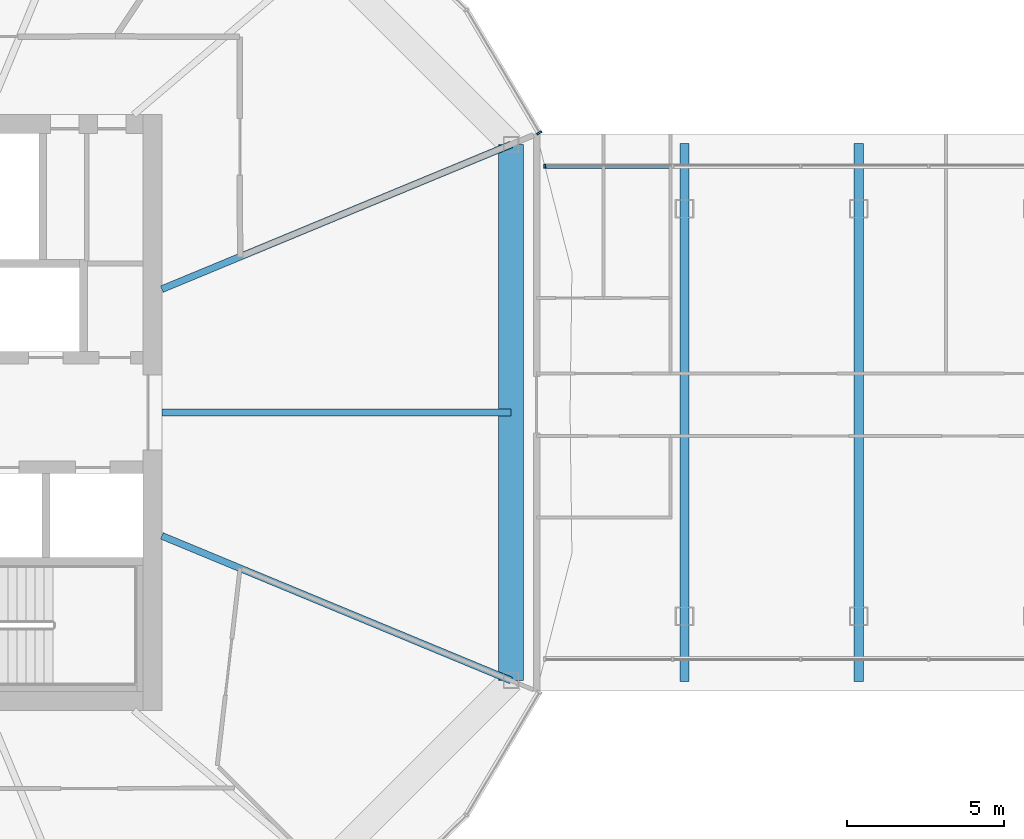
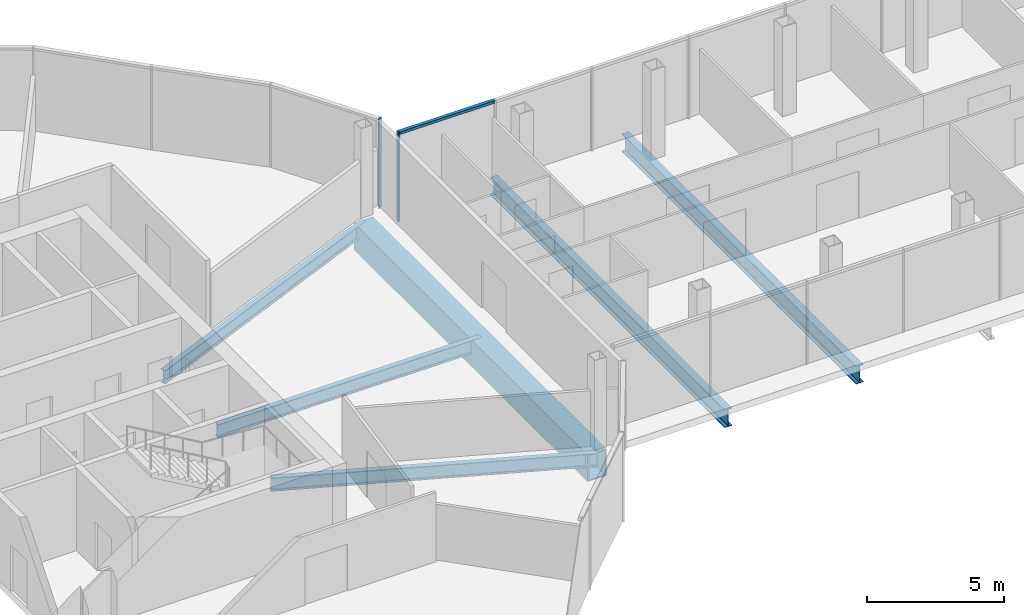
# One storey, part 8 of 26: 6 beams, 3 members, 2 elements without a shape of their own.
"""IFC4 building model written with IfcOpenShell, lengths in metres."""

from ifc_helpers import new_model, si_unit, direction, frame, origin, origin_2d, place, context, subcontext, project, spatial, rectangle, hollow_rectangle, i_section, extrude, material, material_profile, profile_set, type_object, element, aggregate, save


model = new_model("IFC4")

# Units and contexts
model_context = context("Model", 3, precision=1e-05, world=origin(), true_north=direction((0.0, 1.0)))
body_context = subcontext(model_context, "Body", "Model", "MODEL_VIEW")
ifc_project = project(units=[si_unit("LENGTHUNIT", "METRE"), si_unit("AREAUNIT", "SQUARE_METRE"), si_unit("VOLUMEUNIT", "CUBIC_METRE"), si_unit("PLANEANGLEUNIT", "RADIAN"), si_unit("MASSUNIT", "GRAM", prefix="KILO")], contexts=[model_context])

# Site, building, storey
site_placement = place(None, origin())
site = spatial("IfcSite", under=ifc_project, at=site_placement, CompositionType="ELEMENT")
building_placement = place(site_placement, origin())
building = spatial("IfcBuilding", under=site, at=building_placement, Name="Ogive Gate Towers", CompositionType="ELEMENT")
storey_placement = place(building_placement, frame((0.0, 0.0, 148.800048828125)))
storey = spatial("IfcBuildingStorey", under=building, at=storey_placement, Name="L35", CompositionType="ELEMENT", Elevation=148.800048828125)

# Beams
ifc_material_1 = material(Name="Steel SM460", Category="steel")
ifc_material_profile_1 = material_profile(ifc_material_1, i_section(OverallWidth=0.300048828125, OverallDepth=0.7900390625, WebThickness=0.014892578125, FlangeThickness=0.028076171875, FilletRadius=0.030029296875, at=origin_2d()), Name="HE 800 A")
ifc_profile_set_1 = profile_set([ifc_material_profile_1], Name="Steel SM460")
beam_type_1 = type_object("IfcBeamType", Name="Block floor beam HE 800 A", PredefinedType="BEAM", material=ifc_profile_set_1)
for number, where, z_axis, x_axis, name in (
    (1, (-9.83056640625, -8.5859375, -0.695068359375), (0.0, 1.0, 0.0), (-1.0, 0.0, 0.0), "BR/L35/SBM001"),
    (2, (-4.27392578125, -8.5859375, -0.695068359375), (0.0, 1.0, 0.0), (-1.0, 0.0, 0.0), "BR/L35/SBM002"),
):
    element("IfcBeam", number, at=place(storey_placement, frame(where, z_axis=z_axis, x_axis=x_axis)), inside=storey, type_object=beam_type_1, Name=name, PredefinedType="BEAM", context=body_context, shape_type="SweptSolid", body=[
        extrude(i_section(OverallWidth=0.300048828125, OverallDepth=0.7900390625, WebThickness=0.014892578125, FlangeThickness=0.028076171875, FilletRadius=0.030029296875, at=origin_2d()), origin(), (0.0, 0.0, 1.0), 17.171875),
    ])
ifc_material_profile_2 = material_profile(ifc_material_1, hollow_rectangle(XDim=0.800048828125, YDim=1.199951171875, WallThickness=0.050048828125, at=origin_2d()), Name="BX 1200x800x50")
ifc_profile_set_2 = profile_set([ifc_material_profile_2], Name="Steel SM460")
beam_type_2 = type_object("IfcBeamType", Name="Edge girder BX 1200x800x50", PredefinedType="BEAM", material=ifc_profile_set_2)
beam_1_placement = place(storey_placement, frame((-15.360595703125, -8.549072265625, -0.900146484375), z_axis=(0.0, 1.0, 0.0), x_axis=(-1.0, 0.0, 0.0)))
element("IfcBeam", 3, at=beam_1_placement, inside=storey, type_object=beam_type_2, Name="T1/L35/SBM020", PredefinedType="BEAM", context=body_context, shape_type="SweptSolid", body=[
    extrude(hollow_rectangle(XDim=0.800048828125, YDim=1.199951171875, WallThickness=0.050048828125, at=origin_2d()), origin(), (0.0, 0.0, 1.0), 17.09814453125),
])

# Curtain wall, members
ifc_material_2 = material(Name="Pale metal aluminium", Category="aluminium")
curtain_wall_type_1 = type_object("IfcCurtainWallType", Name="Gate block facade", PredefinedType="NOTDEFINED", material=ifc_material_2)
curtain_wall_1_placement = place(storey_placement, origin())
curtain_wall_1 = element("IfcCurtainWall", 4, at=curtain_wall_1_placement, inside=storey, type_object=curtain_wall_type_1, Name="CW3 BR ECW02", PredefinedType="NOTDEFINED")
ifc_material_profile_3 = material_profile(ifc_material_2, rectangle(XDim=0.139892578125, YDim=0.06005859375, at=origin_2d()), Name="60 x 140 aluminium box")
ifc_profile_set_3 = profile_set([ifc_material_profile_3], Name="Pale metal aluminium")
member_type_1 = type_object("IfcMemberType", Name="Gate block facade mullion 60 x 140", PredefinedType="MULLION", material=ifc_profile_set_3)
member_1_placement = place(storey_placement, frame((-14.29150390625, 7.85595703125, -0.300048828125), z_axis=(0.0, 0.0, 1.0), x_axis=(0.0, 1.0, 0.0)))
member_1 = element("IfcMember", 5, at=member_1_placement, type_object=member_type_1, Name="CW3 mullion", PredefinedType="MULLION", context=body_context, shape_type="SweptSolid", body=[
    extrude(rectangle(XDim=0.139892578125, YDim=0.06005859375, at=origin_2d()), origin(), (0.0, 0.0, 1.0), 4.0),
])
ifc_material_profile_4 = material_profile(ifc_material_2, rectangle(XDim=0.139892578125, YDim=0.1201171875, at=origin_2d()), Name="120 x 140 aluminium box")
ifc_profile_set_4 = profile_set([ifc_material_profile_4], Name="Pale metal aluminium")
member_type_2 = type_object("IfcMemberType", Name="Gate block facade transom 120 x 140", PredefinedType="USERDEFINED", material=ifc_profile_set_4)
member_2_placement = place(storey_placement, frame((-10.23828125, 7.85595703125, 3.639892578125), z_axis=(-1.0, 0.0, 0.0), x_axis=(0.0, -1.0, 0.0)))
member_2 = element("IfcMember", 6, at=member_2_placement, type_object=member_type_2, Name="CW3 transom", ObjectType="TRANSOM", PredefinedType="USERDEFINED", context=body_context, shape_type="SweptSolid", body=[
    extrude(rectangle(XDim=0.139892578125, YDim=0.1201171875, at=origin_2d()), origin(), (0.0, 0.0, 1.0), 4.023193359375),
])
aggregate(curtain_wall_1, [member_1, member_2])

# Beams
ifc_material_3 = material(Name="Steel SM355", Category="steel")
ifc_material_profile_5 = material_profile(ifc_material_3, i_section(OverallWidth=0.219970703125, OverallDepth=0.60009765625, WebThickness=0.011962890625, FlangeThickness=0.01904296875, FilletRadius=0.02392578125, at=origin_2d()), Name="IPE 600")
ifc_profile_set_5 = profile_set([ifc_material_profile_5], Name="Steel SM355")
beam_type_3 = type_object("IfcBeamType", Name="Radial floor beam IPE 600", PredefinedType="BEAM", material=ifc_profile_set_5)
beam_2_placement = place(storey_placement, frame((-26.5, -3.93505859375, -0.60009765625), z_axis=(0.923881839184, -0.382677863518, 0.0), x_axis=(0.382677863518, 0.923881839184, 0.0)))
element("IfcBeam", 7, at=beam_2_placement, inside=storey, type_object=beam_type_3, Name="T1/L35/SBM007", PredefinedType="BEAM", context=body_context, shape_type="SweptSolid", body=[
    extrude(i_section(OverallWidth=0.219970703125, OverallDepth=0.60009765625, WebThickness=0.011962890625, FlangeThickness=0.01904296875, FilletRadius=0.02392578125, at=origin_2d()), origin(), (0.0, 0.0, 1.0), 12.05712890625),
])
beam_3_placement = place(storey_placement, frame((-26.5, 0.0, -0.60009765625), z_axis=(1.0, 0.0, 0.0), x_axis=(0.0, 1.0, 0.0)))
element("IfcBeam", 8, at=beam_3_placement, inside=storey, type_object=beam_type_3, Name="T1/L35/SBM008", PredefinedType="BEAM", context=body_context, shape_type="SweptSolid", body=[
    extrude(i_section(OverallWidth=0.219970703125, OverallDepth=0.60009765625, WebThickness=0.011962890625, FlangeThickness=0.01904296875, FilletRadius=0.02392578125, at=origin_2d()), origin(), (0.0, 0.0, 1.0), 11.139404296875),
])
beam_4_placement = place(storey_placement, frame((-26.5, 3.93505859375, -0.60009765625), z_axis=(0.923881839184, 0.382677863518, 0.0), x_axis=(-0.382677863518, 0.923881839184, 0.0)))
element("IfcBeam", 9, at=beam_4_placement, inside=storey, type_object=beam_type_3, Name="T1/L35/SBM009", PredefinedType="BEAM", context=body_context, shape_type="SweptSolid", body=[
    extrude(i_section(OverallWidth=0.219970703125, OverallDepth=0.60009765625, WebThickness=0.011962890625, FlangeThickness=0.01904296875, FilletRadius=0.02392578125, at=origin_2d()), origin(), (0.0, 0.0, 1.0), 12.05712890625),
])

# Curtain wall, member
curtain_wall_type_2 = type_object("IfcCurtainWallType", Name="Tower unitised wall, high zone", PredefinedType="NOTDEFINED", material=ifc_material_2)
curtain_wall_2_placement = place(storey_placement, origin())
curtain_wall_2 = element("IfcCurtainWall", 10, at=curtain_wall_2_placement, inside=storey, type_object=curtain_wall_type_2, Name="CW2 T1 ECW01", PredefinedType="NOTDEFINED")
ifc_material_profile_6 = material_profile(ifc_material_2, rectangle(XDim=0.179931640625, YDim=0.06005859375, at=origin_2d()), Name="60 x 180 aluminium box")
ifc_profile_set_6 = profile_set([ifc_material_profile_6], Name="Pale metal aluminium")
member_type_3 = type_object("IfcMemberType", Name="Tower unitised wall, high zone mullion 60 x 180", PredefinedType="MULLION", material=ifc_profile_set_6)
member_3_placement = place(storey_placement, frame((-14.462890625, 8.91943359375, -0.300048828125), z_axis=(0.0, 0.0, 1.0), x_axis=(0.860386439326, 0.509642202947, 0.0)))
member_3 = element("IfcMember", 11, at=member_3_placement, type_object=member_type_3, Name="CW2 mullion", PredefinedType="MULLION", context=body_context, shape_type="SweptSolid", body=[
    extrude(rectangle(XDim=0.179931640625, YDim=0.06005859375, at=origin_2d()), origin(), (0.0, 0.0, 1.0), 4.0),
])
aggregate(curtain_wall_2, [member_3])

save(model, "model.ifc")
